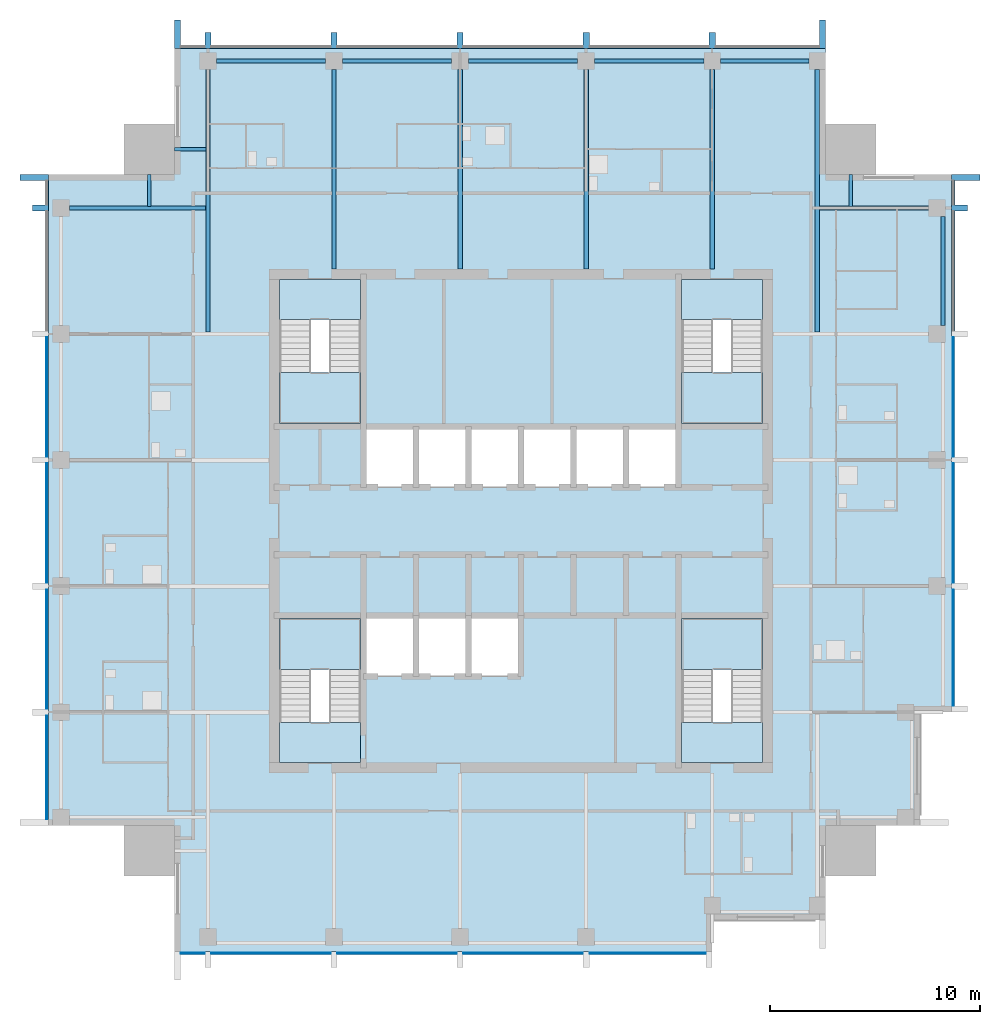
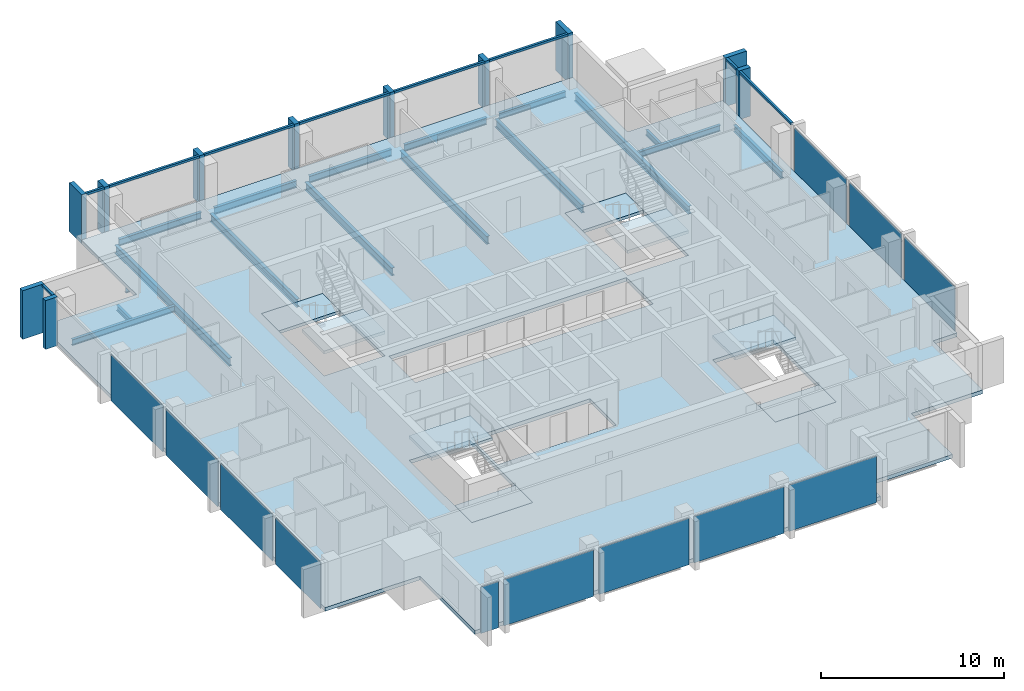
# One storey, part 2 of 9: 20 members, 17 beams, 12 plates, 9 slabs, 8 elements without a shape of their own.
"""IFC4 building model written with IfcOpenShell, lengths in metres."""

from ifc_helpers import new_model, si_unit, direction, frame, origin, origin_2d, place, context, subcontext, project, spatial, polyline, rectangle, i_section, outline, extrude, material, layer, layer_set, material_profile, profile_set, type_object, element, aggregate, save


model = new_model("IFC4")

# Units and contexts
model_context = context("Model", 3, precision=1e-05, world=origin(), true_north=direction((0.0, 1.0)))
body_context = subcontext(model_context, "Body", "Model", "MODEL_VIEW")
ifc_project = project(units=[si_unit("LENGTHUNIT", "METRE"), si_unit("AREAUNIT", "SQUARE_METRE"), si_unit("VOLUMEUNIT", "CUBIC_METRE"), si_unit("PLANEANGLEUNIT", "RADIAN"), si_unit("MASSUNIT", "GRAM", prefix="KILO")], contexts=[model_context])

# Site, building, storey
site_placement = place(None, origin())
site = spatial("IfcSite", under=ifc_project, at=site_placement, CompositionType="ELEMENT")
building_placement = place(site_placement, origin())
building = spatial("IfcBuilding", under=site, at=building_placement, Name="Amberfall Residences", CompositionType="ELEMENT")
storey_placement = place(building_placement, frame((0.0, 0.0, 278.5)))
storey = spatial("IfcBuildingStorey", under=building, at=storey_placement, Name="L75", CompositionType="ELEMENT", Elevation=278.5)

# Curtain wall, members
ifc_material_1 = material(Name="Bronze anodised aluminium and glass", Category="aluminium")
curtain_wall_type = type_object("IfcCurtainWallType", Name="Curtain wall CW1 tower unit", PredefinedType="USERDEFINED", material=ifc_material_1)
curtain_wall_1_placement = place(storey_placement, origin())
curtain_wall_1 = element("IfcCurtainWall", 1, at=curtain_wall_1_placement, inside=storey, type_object=curtain_wall_type, Name="Curtain wall L75 E E3", ObjectType="UNITISED CURTAIN WALL", PredefinedType="USERDEFINED")
ifc_material_2 = material(Name="Bronze anodised aluminium", Category="aluminium")
ifc_material_profile_1 = material_profile(ifc_material_2, rectangle(XDim=0.14990234375, YDim=0.14990234375, at=origin_2d()), Name="CW1 transom 150 x 150 bronze")
ifc_profile_set_1 = profile_set([ifc_material_profile_1], Name="Bronze anodised aluminium")
member_type_1 = type_object("IfcMemberType", Name="CW1 transom 150 x 150 bronze", PredefinedType="USERDEFINED", material=ifc_profile_set_1)
member_1_placement = place(storey_placement, frame((95.074951171875, 54.550048828125, 2.925048828125), z_axis=(0.0, 1.0, 0.0), x_axis=(-1.0, 0.0, 0.0)))
member_1 = element("IfcMember", 2, at=member_1_placement, type_object=member_type_1, Name="CW1 transom 4.1", ObjectType="TRANSOM", PredefinedType="USERDEFINED", context=body_context, shape_type="SweptSolid", body=[
    extrude(rectangle(XDim=0.14990234375, YDim=0.14990234375, at=origin_2d()), origin(), (0.0, 0.0, 1.0), 5.699951171875),
])
member_2_placement = place(storey_placement, frame((95.074951171875, 60.550048828125, 2.925048828125), z_axis=(0.0, 1.0, 0.0), x_axis=(-1.0, 0.0, 0.0)))
member_2 = element("IfcMember", 3, at=member_2_placement, type_object=member_type_1, Name="CW1 transom 5.1", ObjectType="TRANSOM", PredefinedType="USERDEFINED", context=body_context, shape_type="SweptSolid", body=[
    extrude(rectangle(XDim=0.14990234375, YDim=0.14990234375, at=origin_2d()), origin(), (0.0, 0.0, 1.0), 1.14990234375),
])

curtain_wall_2_placement = place(storey_placement, origin())
curtain_wall_2 = element("IfcCurtainWall", 4, at=curtain_wall_2_placement, inside=storey, type_object=curtain_wall_type, Name="Curtain wall L75 N N1", ObjectType="UNITISED CURTAIN WALL", PredefinedType="USERDEFINED")
member_3_placement = place(storey_placement, frame((88.699951171875, 68.074951171875, 2.925048828125), z_axis=(-1.0, 0.0, 0.0), x_axis=(0.0, -1.0, 0.0)))
member_3 = element("IfcMember", 5, at=member_3_placement, type_object=member_type_1, Name="CW1 transom 1.1", ObjectType="TRANSOM", PredefinedType="USERDEFINED", context=body_context, shape_type="SweptSolid", body=[
    extrude(rectangle(XDim=0.14990234375, YDim=0.14990234375, at=origin_2d()), origin(), (0.0, 0.0, 1.0), 4.949951171875),
])
member_4_placement = place(storey_placement, frame((83.449951171875, 68.074951171875, 2.925048828125), z_axis=(-1.0, 0.0, 0.0), x_axis=(0.0, -1.0, 0.0)))
member_4 = element("IfcMember", 6, at=member_4_placement, type_object=member_type_1, Name="CW1 transom 2.1", ObjectType="TRANSOM", PredefinedType="USERDEFINED", context=body_context, shape_type="SweptSolid", body=[
    extrude(rectangle(XDim=0.14990234375, YDim=0.14990234375, at=origin_2d()), origin(), (0.0, 0.0, 1.0), 5.699951171875),
])
member_5_placement = place(storey_placement, frame((77.449951171875, 68.074951171875, 2.925048828125), z_axis=(-1.0, 0.0, 0.0), x_axis=(0.0, -1.0, 0.0)))
member_5 = element("IfcMember", 7, at=member_5_placement, type_object=member_type_1, Name="CW1 transom 3.1", ObjectType="TRANSOM", PredefinedType="USERDEFINED", context=body_context, shape_type="SweptSolid", body=[
    extrude(rectangle(XDim=0.14990234375, YDim=0.14990234375, at=origin_2d()), origin(), (0.0, 0.0, 1.0), 5.699951171875),
])
member_6_placement = place(storey_placement, frame((71.449951171875, 68.074951171875, 2.925048828125), z_axis=(-1.0, 0.0, 0.0), x_axis=(0.0, -1.0, 0.0)))
member_6 = element("IfcMember", 8, at=member_6_placement, type_object=member_type_1, Name="CW1 transom 4.1", ObjectType="TRANSOM", PredefinedType="USERDEFINED", context=body_context, shape_type="SweptSolid", body=[
    extrude(rectangle(XDim=0.14990234375, YDim=0.14990234375, at=origin_2d()), origin(), (0.0, 0.0, 1.0), 5.699951171875),
])
member_7_placement = place(storey_placement, frame((65.449951171875, 68.074951171875, 2.925048828125), z_axis=(-1.0, 0.0, 0.0), x_axis=(0.0, -1.0, 0.0)))
member_7 = element("IfcMember", 9, at=member_7_placement, type_object=member_type_1, Name="CW1 transom 5.1", ObjectType="TRANSOM", PredefinedType="USERDEFINED", context=body_context, shape_type="SweptSolid", body=[
    extrude(rectangle(XDim=0.14990234375, YDim=0.14990234375, at=origin_2d()), origin(), (0.0, 0.0, 1.0), 5.699951171875),
])
member_8_placement = place(storey_placement, frame((59.449951171875, 68.074951171875, 2.925048828125), z_axis=(-1.0, 0.0, 0.0), x_axis=(0.0, -1.0, 0.0)))
member_8 = element("IfcMember", 10, at=member_8_placement, type_object=member_type_1, Name="CW1 transom 6.1", ObjectType="TRANSOM", PredefinedType="USERDEFINED", context=body_context, shape_type="SweptSolid", body=[
    extrude(rectangle(XDim=0.14990234375, YDim=0.14990234375, at=origin_2d()), origin(), (0.0, 0.0, 1.0), 1.14990234375),
])

# Curtain wall, member
curtain_wall_3_placement = place(storey_placement, origin())
curtain_wall_3 = element("IfcCurtainWall", 11, at=curtain_wall_3_placement, inside=storey, type_object=curtain_wall_type, Name="Curtain wall L75 W W1", ObjectType="UNITISED CURTAIN WALL", PredefinedType="USERDEFINED")
member_9_placement = place(storey_placement, frame((51.925048828125, 61.699951171875, 2.925048828125), z_axis=(0.0, -1.0, 0.0), x_axis=(1.0, 0.0, 0.0)))
member_9 = element("IfcMember", 12, at=member_9_placement, type_object=member_type_1, Name="CW1 transom 1.1", ObjectType="TRANSOM", PredefinedType="USERDEFINED", context=body_context, shape_type="SweptSolid", body=[
    extrude(rectangle(XDim=0.14990234375, YDim=0.14990234375, at=origin_2d()), origin(), (0.0, 0.0, 1.0), 1.14990234375),
])

# Member
ifc_material_profile_2 = material_profile(ifc_material_2, rectangle(XDim=1.35009765625, YDim=0.300048828125, at=origin_2d()), Name="Corner fin 300 x 1350 bronze")
ifc_profile_set_2 = profile_set([ifc_material_profile_2], Name="Bronze anodised aluminium")
member_type_2 = type_object("IfcMemberType", Name="Corner fin 300 x 1350 bronze", PredefinedType="MULLION", material=ifc_profile_set_2)
member_10_placement = place(storey_placement, frame((95.675048828125, 61.85009765625, -0.25), z_axis=(0.0, 0.0, 1.0), x_axis=(-1.0, 0.0, 0.0)))
member_10 = element("IfcMember", 13, at=member_10_placement, type_object=member_type_2, Name="CW FIN 6", PredefinedType="MULLION", context=body_context, shape_type="SweptSolid", body=[
    extrude(rectangle(XDim=1.35009765625, YDim=0.300048828125, at=origin_2d()), origin(), (0.0, 0.0, 1.0), 3.25),
])

member_11_placement = place(storey_placement, frame((88.85009765625, 68.675048828125, -0.25), z_axis=(0.0, 0.0, 1.0), x_axis=(0.0, -1.0, 0.0)))
member_11 = element("IfcMember", 14, at=member_11_placement, type_object=member_type_2, Name="CW FIN 1", PredefinedType="MULLION", context=body_context, shape_type="SweptSolid", body=[
    extrude(rectangle(XDim=1.35009765625, YDim=0.300048828125, at=origin_2d()), origin(), (0.0, 0.0, 1.0), 3.25),
])

member_12_placement = place(storey_placement, frame((58.14990234375, 68.675048828125, -0.25), z_axis=(0.0, 0.0, 1.0), x_axis=(0.0, -1.0, 0.0)))
member_12 = element("IfcMember", 15, at=member_12_placement, type_object=member_type_2, Name="CW FIN 7", PredefinedType="MULLION", context=body_context, shape_type="SweptSolid", body=[
    extrude(rectangle(XDim=1.35009765625, YDim=0.300048828125, at=origin_2d()), origin(), (0.0, 0.0, 1.0), 3.25),
])

member_13_placement = place(storey_placement, frame((51.324951171875, 61.85009765625, -0.25), z_axis=(0.0, 0.0, 1.0), x_axis=(1.0, 0.0, 0.0)))
member_13 = element("IfcMember", 16, at=member_13_placement, type_object=member_type_2, Name="CW FIN 1", PredefinedType="MULLION", context=body_context, shape_type="SweptSolid", body=[
    extrude(rectangle(XDim=1.35009765625, YDim=0.300048828125, at=origin_2d()), origin(), (0.0, 0.0, 1.0), 3.25),
])

# Beams
ifc_material_3 = material(Name="Steel S355", Category="steel")
ifc_material_profile_3 = material_profile(ifc_material_3, i_section(OverallWidth=0.177734375, OverallDepth=0.402587890625, WebThickness=0.0078125, FlangeThickness=0.010986328125, FilletRadius=0.01025390625, at=origin_2d()), Name="UB 406x178x54")
ifc_profile_set_3 = profile_set([ifc_material_profile_3], Name="Steel S355")
beam_type_1 = type_object("IfcBeamType", Name="Edge beam UB 406x178x54", PredefinedType="SPANDREL", material=ifc_profile_set_3)
beam_1_placement = place(storey_placement, frame((84.0, 67.39990234375, -0.451416015625), z_axis=(1.0, 0.0, 0.0), x_axis=(0.0, 1.0, 0.0)))
element("IfcBeam", 17, at=beam_1_placement, inside=storey, type_object=beam_type_1, Name="Edge beam B14 L75 29", PredefinedType="SPANDREL", context=body_context, shape_type="SweptSolid", body=[
    extrude(i_section(OverallWidth=0.177734375, OverallDepth=0.402587890625, WebThickness=0.0078125, FlangeThickness=0.010986328125, FilletRadius=0.01025390625, at=origin_2d()), origin(), (0.0, 0.0, 1.0), 4.199951171875),
])
ifc_material_profile_4 = material_profile(ifc_material_3, i_section(OverallWidth=0.18994140625, OverallDepth=0.453369140625, WebThickness=0.008544921875, FlangeThickness=0.0126953125, FilletRadius=0.01025390625, at=origin_2d()), Name="UB 457x191x67")
ifc_profile_set_4 = profile_set([ifc_material_profile_4], Name="Steel S355")
beam_type_2 = type_object("IfcBeamType", Name="Edge beam UB 457x191x67", PredefinedType="SPANDREL", material=ifc_profile_set_4)
for number, where, z_axis, x_axis, name in (
    (18, (94.60009765625, 54.800048828125, -0.476806640625), (0.0, 1.0, 0.0), (-1.0, 0.0, 0.0), "Edge beam B1 L75 17"),
    (19, (60.0, 67.39990234375, -0.476806640625), (1.0, 0.0, 0.0), (0.0, 1.0, 0.0), "Edge beam B1 L75 25"),
    (20, (66.0, 67.39990234375, -0.476806640625), (1.0, 0.0, 0.0), (0.0, 1.0, 0.0), "Edge beam B1 L75 26"),
    (21, (72.0, 67.39990234375, -0.476806640625), (1.0, 0.0, 0.0), (0.0, 1.0, 0.0), "Edge beam B1 L75 27"),
    (22, (78.0, 67.39990234375, -0.476806640625), (1.0, 0.0, 0.0), (0.0, 1.0, 0.0), "Edge beam B1 L75 28"),
):
    element("IfcBeam", number, at=place(storey_placement, frame(where, z_axis=z_axis, x_axis=x_axis)), inside=storey, type_object=beam_type_2, Name=name, PredefinedType="SPANDREL", context=body_context, shape_type="SweptSolid", body=[
        extrude(i_section(OverallWidth=0.18994140625, OverallDepth=0.453369140625, WebThickness=0.008544921875, FlangeThickness=0.0126953125, FilletRadius=0.01025390625, at=origin_2d()), origin(), (0.0, 0.0, 1.0), 5.199951171875),
    ])

# Member
ifc_material_profile_5 = material_profile(ifc_material_2, rectangle(XDim=0.75, YDim=0.300048828125, at=origin_2d()), Name="Fin 300 x 750 bronze")
ifc_profile_set_5 = profile_set([ifc_material_profile_5], Name="Bronze anodised aluminium")
member_type_3 = type_object("IfcMemberType", Name="Fin 300 x 750 bronze", PredefinedType="MULLION", material=ifc_profile_set_5)
member_14_placement = place(storey_placement, frame((95.375, 60.39990234375, -0.25), z_axis=(0.0, 0.0, 1.0), x_axis=(-1.0, 0.0, 0.0)))
member_14 = element("IfcMember", 23, at=member_14_placement, type_object=member_type_3, Name="CW FIN 5", PredefinedType="MULLION", context=body_context, shape_type="SweptSolid", body=[
    extrude(rectangle(XDim=0.75, YDim=0.300048828125, at=origin_2d()), origin(), (0.0, 0.0, 1.0), 3.25),
])

member_15_placement = place(storey_placement, frame((83.60009765625, 68.375, -0.25), z_axis=(0.0, 0.0, 1.0), x_axis=(0.0, -1.0, 0.0)))
member_15 = element("IfcMember", 24, at=member_15_placement, type_object=member_type_3, Name="CW FIN 2", PredefinedType="MULLION", context=body_context, shape_type="SweptSolid", body=[
    extrude(rectangle(XDim=0.75, YDim=0.300048828125, at=origin_2d()), origin(), (0.0, 0.0, 1.0), 3.25),
])

member_16_placement = place(storey_placement, frame((77.60009765625, 68.375, -0.25), z_axis=(0.0, 0.0, 1.0), x_axis=(0.0, -1.0, 0.0)))
member_16 = element("IfcMember", 25, at=member_16_placement, type_object=member_type_3, Name="CW FIN 3", PredefinedType="MULLION", context=body_context, shape_type="SweptSolid", body=[
    extrude(rectangle(XDim=0.75, YDim=0.300048828125, at=origin_2d()), origin(), (0.0, 0.0, 1.0), 3.25),
])

member_17_placement = place(storey_placement, frame((71.60009765625, 68.375, -0.25), z_axis=(0.0, 0.0, 1.0), x_axis=(0.0, -1.0, 0.0)))
member_17 = element("IfcMember", 26, at=member_17_placement, type_object=member_type_3, Name="CW FIN 4", PredefinedType="MULLION", context=body_context, shape_type="SweptSolid", body=[
    extrude(rectangle(XDim=0.75, YDim=0.300048828125, at=origin_2d()), origin(), (0.0, 0.0, 1.0), 3.25),
])

member_18_placement = place(storey_placement, frame((65.60009765625, 68.375, -0.25), z_axis=(0.0, 0.0, 1.0), x_axis=(0.0, -1.0, 0.0)))
member_18 = element("IfcMember", 27, at=member_18_placement, type_object=member_type_3, Name="CW FIN 5", PredefinedType="MULLION", context=body_context, shape_type="SweptSolid", body=[
    extrude(rectangle(XDim=0.75, YDim=0.300048828125, at=origin_2d()), origin(), (0.0, 0.0, 1.0), 3.25),
])

member_19_placement = place(storey_placement, frame((59.60009765625, 68.375, -0.25), z_axis=(0.0, 0.0, 1.0), x_axis=(0.0, -1.0, 0.0)))
member_19 = element("IfcMember", 28, at=member_19_placement, type_object=member_type_3, Name="CW FIN 6", PredefinedType="MULLION", context=body_context, shape_type="SweptSolid", body=[
    extrude(rectangle(XDim=0.75, YDim=0.300048828125, at=origin_2d()), origin(), (0.0, 0.0, 1.0), 3.25),
])

aggregate(curtain_wall_2, [member_11, member_15, member_16, member_17, member_18, member_19, member_12, member_3, member_4, member_5, member_6, member_7, member_8])

member_20_placement = place(storey_placement, frame((51.625, 60.39990234375, -0.25), z_axis=(0.0, 0.0, 1.0), x_axis=(1.0, 0.0, 0.0)))
member_20 = element("IfcMember", 29, at=member_20_placement, type_object=member_type_3, Name="CW FIN 2", PredefinedType="MULLION", context=body_context, shape_type="SweptSolid", body=[
    extrude(rectangle(XDim=0.75, YDim=0.300048828125, at=origin_2d()), origin(), (0.0, 0.0, 1.0), 3.25),
])

# Beams
ifc_material_profile_6 = material_profile(ifc_material_3, i_section(OverallWidth=0.177734375, OverallDepth=0.402587890625, WebThickness=0.0078125, FlangeThickness=0.010986328125, FilletRadius=0.01025390625, at=origin_2d()), Name="UB 406x178x54")
ifc_profile_set_6 = profile_set([ifc_material_profile_6], Name="Steel S355")
beam_type_3 = type_object("IfcBeamType", Name="Floor girder UB 406x178x54", PredefinedType="BEAM", material=ifc_profile_set_6)
beam_2_placement = place(storey_placement, frame((93.89990234375, 60.39990234375, -0.451416015625), z_axis=(-1.0, 0.0, 0.0), x_axis=(0.0, -1.0, 0.0)))
element("IfcBeam", 30, at=beam_2_placement, inside=storey, type_object=beam_type_3, Name="Floor girder B4 L75 24", PredefinedType="BEAM", context=body_context, shape_type="SweptSolid", body=[
    extrude(i_section(OverallWidth=0.177734375, OverallDepth=0.402587890625, WebThickness=0.0078125, FlangeThickness=0.010986328125, FilletRadius=0.01025390625, at=origin_2d()), origin(), (0.0, 0.0, 1.0), 5.179931640625),
])
beam_3_placement = place(storey_placement, frame((53.0, 60.39990234375, -0.451416015625), z_axis=(1.0, 0.0, 0.0), x_axis=(0.0, 1.0, 0.0)))
element("IfcBeam", 31, at=beam_3_placement, inside=storey, type_object=beam_type_3, Name="Floor girder B4 L75 46", PredefinedType="BEAM", context=body_context, shape_type="SweptSolid", body=[
    extrude(i_section(OverallWidth=0.177734375, OverallDepth=0.402587890625, WebThickness=0.0078125, FlangeThickness=0.010986328125, FilletRadius=0.01025390625, at=origin_2d()), origin(), (0.0, 0.0, 1.0), 6.47998046875),
])
ifc_material_profile_7 = material_profile(ifc_material_3, i_section(OverallWidth=0.210693359375, OverallDepth=0.53955078125, WebThickness=0.01171875, FlangeThickness=0.018798828125, FilletRadius=0.0126953125, at=origin_2d()), Name="UB 533x210x109")
ifc_profile_set_7 = profile_set([ifc_material_profile_7], Name="Steel S355")
beam_type_4 = type_object("IfcBeamType", Name="Floor girder UB 533x210x109", PredefinedType="BEAM", material=ifc_profile_set_7)
beam_4_placement = place(storey_placement, frame((59.60009765625, 67.0, -0.519775390625), z_axis=(0.0, -1.0, 0.0), x_axis=(1.0, 0.0, 0.0)))
element("IfcBeam", 32, at=beam_4_placement, inside=storey, type_object=beam_type_4, Name="Floor girder B2 L75 30", PredefinedType="BEAM", context=body_context, shape_type="SweptSolid", body=[
    extrude(i_section(OverallWidth=0.210693359375, OverallDepth=0.53955078125, WebThickness=0.01171875, FlangeThickness=0.018798828125, FilletRadius=0.0126953125, at=origin_2d()), origin(), (0.0, 0.0, 1.0), 12.50048828125),
])
beam_5_placement = place(storey_placement, frame((88.60009765625, 67.0, -0.519775390625), z_axis=(0.0, -1.0, 0.0), x_axis=(1.0, 0.0, 0.0)))
element("IfcBeam", 33, at=beam_5_placement, inside=storey, type_object=beam_type_4, Name="Floor girder B2 L75 35", PredefinedType="BEAM", context=body_context, shape_type="SweptSolid", body=[
    extrude(i_section(OverallWidth=0.210693359375, OverallDepth=0.53955078125, WebThickness=0.01171875, FlangeThickness=0.018798828125, FilletRadius=0.0126953125, at=origin_2d()), origin(), (0.0, 0.0, 1.0), 12.509521484375),
])
ifc_material_profile_8 = material_profile(ifc_material_3, i_section(OverallWidth=0.209228515625, OverallDepth=0.533203125, WebThickness=0.010009765625, FlangeThickness=0.015625, FilletRadius=0.0126953125, at=origin_2d()), Name="UB 533x210x92")
ifc_profile_set_8 = profile_set([ifc_material_profile_8], Name="Steel S355")
beam_type_5 = type_object("IfcBeamType", Name="Floor girder UB 533x210x92", PredefinedType="BEAM", material=ifc_profile_set_8)
for number, where, z_axis, x_axis, name in (
    (34, (65.60009765625, 67.0, -0.5166015625), (0.0, -1.0, 0.0), (1.0, 0.0, 0.0), "Floor girder B3 L75 31"),
    (35, (71.60009765625, 67.0, -0.5166015625), (0.0, -1.0, 0.0), (1.0, 0.0, 0.0), "Floor girder B3 L75 32"),
    (36, (77.60009765625, 67.0, -0.5166015625), (0.0, -1.0, 0.0), (1.0, 0.0, 0.0), "Floor girder B3 L75 33"),
    (37, (83.60009765625, 67.0, -0.5166015625), (0.0, -1.0, 0.0), (1.0, 0.0, 0.0), "Floor girder B3 L75 34"),
):
    element("IfcBeam", number, at=place(storey_placement, frame(where, z_axis=z_axis, x_axis=x_axis)), inside=storey, type_object=beam_type_5, Name=name, PredefinedType="BEAM", context=body_context, shape_type="SweptSolid", body=[
        extrude(i_section(OverallWidth=0.209228515625, OverallDepth=0.533203125, WebThickness=0.010009765625, FlangeThickness=0.015625, FilletRadius=0.0126953125, at=origin_2d()), origin(), (0.0, 0.0, 1.0), 9.5),
    ])
ifc_material_profile_9 = material_profile(ifc_material_3, i_section(OverallWidth=0.171142578125, OverallDepth=0.351318359375, WebThickness=0.007080078125, FlangeThickness=0.009765625, FilletRadius=0.01025390625, at=origin_2d()), Name="UB 356x171x45")
ifc_profile_set_9 = profile_set([ifc_material_profile_9], Name="Steel S355")
beam_type_6 = type_object("IfcBeamType", Name="Link beam UB 356x171x45", PredefinedType="BEAM", material=ifc_profile_set_9)
beam_6_placement = place(storey_placement, frame((90.199951171875, 62.0, -0.42578125), z_axis=(0.0, -1.0, 0.0), x_axis=(1.0, 0.0, 0.0)))
element("IfcBeam", 38, at=beam_6_placement, inside=storey, type_object=beam_type_6, Name="Link beam B7 L75 48", PredefinedType="BEAM", context=body_context, shape_type="SweptSolid", body=[
    extrude(i_section(OverallWidth=0.171142578125, OverallDepth=0.351318359375, WebThickness=0.007080078125, FlangeThickness=0.009765625, FilletRadius=0.01025390625, at=origin_2d()), origin(), (0.0, 0.0, 1.0), 1.52099609375),
])
beam_7_placement = place(storey_placement, frame((58.0, 63.199951171875, -0.42578125), z_axis=(1.0, 0.0, 0.0), x_axis=(0.0, 1.0, 0.0)))
element("IfcBeam", 39, at=beam_7_placement, inside=storey, type_object=beam_type_6, Name="Link beam B7 L75 49", PredefinedType="BEAM", context=body_context, shape_type="SweptSolid", body=[
    extrude(i_section(OverallWidth=0.171142578125, OverallDepth=0.351318359375, WebThickness=0.007080078125, FlangeThickness=0.009765625, FilletRadius=0.01025390625, at=origin_2d()), origin(), (0.0, 0.0, 1.0), 1.504638671875),
])
beam_8_placement = place(storey_placement, frame((56.800048828125, 62.0, -0.42578125), z_axis=(0.0, -1.0, 0.0), x_axis=(1.0, 0.0, 0.0)))
element("IfcBeam", 40, at=beam_8_placement, inside=storey, type_object=beam_type_6, Name="Link beam B7 L75 50", PredefinedType="BEAM", context=body_context, shape_type="SweptSolid", body=[
    extrude(i_section(OverallWidth=0.171142578125, OverallDepth=0.351318359375, WebThickness=0.007080078125, FlangeThickness=0.009765625, FilletRadius=0.01025390625, at=origin_2d()), origin(), (0.0, 0.0, 1.0), 1.52099609375),
])

# Curtain wall, plates
curtain_wall_4_placement = place(storey_placement, origin())
curtain_wall_4 = element("IfcCurtainWall", 41, at=curtain_wall_4_placement, inside=storey, type_object=curtain_wall_type, Name="Curtain wall L75 S S1", ObjectType="UNITISED CURTAIN WALL", PredefinedType="USERDEFINED")
ifc_material_4 = material(Name="Tinted double glazed unit", Category="glass")
ifc_layer_1 = layer(ifc_material_4, 0.035888671875)
ifc_layer_set_1 = layer_set([ifc_layer_1], Name="CW1 panel 36 glazing")
plate_type = type_object("IfcPlateType", Name="CW1 panel 36 glazing", PredefinedType="CURTAIN_PANEL", material=ifc_layer_set_1)
plate_1_placement = place(storey_placement, frame((58.875, 24.925048828125, -0.25), z_axis=(0.0, 0.0, 1.0), x_axis=(1.0, 0.0, 0.0)))
plate_1 = element("IfcPlate", 42, at=plate_1_placement, type_object=plate_type, Name="CW1 panel 1.1", PredefinedType="CURTAIN_PANEL", context=body_context, shape_type="SweptSolid", body=[
    extrude(rectangle(XDim=1.1259765625, YDim=0.035888671875, at=origin_2d()), origin(), (0.0, 0.0, 1.0), 3.10009765625),
])
plate_2_placement = place(storey_placement, frame((62.60009765625, 24.925048828125, -0.25), z_axis=(0.0, 0.0, 1.0), x_axis=(1.0, 0.0, 0.0)))
plate_2 = element("IfcPlate", 43, at=plate_2_placement, type_object=plate_type, Name="CW1 panel 2.1", PredefinedType="CURTAIN_PANEL", context=body_context, shape_type="SweptSolid", body=[
    extrude(rectangle(XDim=5.676025390625, YDim=0.035888671875, at=origin_2d()), origin(), (0.0, 0.0, 1.0), 3.10009765625),
])
plate_3_placement = place(storey_placement, frame((68.60009765625, 24.925048828125, -0.25), z_axis=(0.0, 0.0, 1.0), x_axis=(1.0, 0.0, 0.0)))
plate_3 = element("IfcPlate", 44, at=plate_3_placement, type_object=plate_type, Name="CW1 panel 3.1", PredefinedType="CURTAIN_PANEL", context=body_context, shape_type="SweptSolid", body=[
    extrude(rectangle(XDim=5.676025390625, YDim=0.035888671875, at=origin_2d()), origin(), (0.0, 0.0, 1.0), 3.10009765625),
])
plate_4_placement = place(storey_placement, frame((74.60009765625, 24.925048828125, -0.25), z_axis=(0.0, 0.0, 1.0), x_axis=(1.0, 0.0, 0.0)))
plate_4 = element("IfcPlate", 45, at=plate_4_placement, type_object=plate_type, Name="CW1 panel 4.1", PredefinedType="CURTAIN_PANEL", context=body_context, shape_type="SweptSolid", body=[
    extrude(rectangle(XDim=5.676025390625, YDim=0.035888671875, at=origin_2d()), origin(), (0.0, 0.0, 1.0), 3.10009765625),
])
plate_5_placement = place(storey_placement, frame((80.52490234375, 24.925048828125, -0.25), z_axis=(0.0, 0.0, 1.0), x_axis=(1.0, 0.0, 0.0)))
plate_5 = element("IfcPlate", 46, at=plate_5_placement, type_object=plate_type, Name="CW1 panel 5.1", PredefinedType="CURTAIN_PANEL", context=body_context, shape_type="SweptSolid", body=[
    extrude(rectangle(XDim=5.52587890625, YDim=0.035888671875, at=origin_2d()), origin(), (0.0, 0.0, 1.0), 3.10009765625),
])
aggregate(curtain_wall_4, [plate_1, plate_2, plate_3, plate_4, plate_5])

# Plate
plate_6_placement = place(storey_placement, frame((95.074951171875, 39.47509765625, -0.25), z_axis=(0.0, 0.0, 1.0), x_axis=(0.0, 1.0, 0.0)))
plate_6 = element("IfcPlate", 47, at=plate_6_placement, type_object=plate_type, Name="CW1 panel 1.1", PredefinedType="CURTAIN_PANEL", context=body_context, shape_type="SweptSolid", body=[
    extrude(rectangle(XDim=5.52587890625, YDim=0.035888671875, at=origin_2d()), origin(), (0.0, 0.0, 1.0), 3.10009765625),
])

plate_7_placement = place(storey_placement, frame((95.074951171875, 45.39990234375, -0.25), z_axis=(0.0, 0.0, 1.0), x_axis=(0.0, 1.0, 0.0)))
plate_7 = element("IfcPlate", 48, at=plate_7_placement, type_object=plate_type, Name="CW1 panel 2.1", PredefinedType="CURTAIN_PANEL", context=body_context, shape_type="SweptSolid", body=[
    extrude(rectangle(XDim=5.676025390625, YDim=0.035888671875, at=origin_2d()), origin(), (0.0, 0.0, 1.0), 3.10009765625),
])

plate_8_placement = place(storey_placement, frame((95.074951171875, 51.39990234375, -0.25), z_axis=(0.0, 0.0, 1.0), x_axis=(0.0, 1.0, 0.0)))
plate_8 = element("IfcPlate", 49, at=plate_8_placement, type_object=plate_type, Name="CW1 panel 3.1", PredefinedType="CURTAIN_PANEL", context=body_context, shape_type="SweptSolid", body=[
    extrude(rectangle(XDim=5.676025390625, YDim=0.035888671875, at=origin_2d()), origin(), (0.0, 0.0, 1.0), 3.10009765625),
])

aggregate(curtain_wall_1, [member_14, member_10, plate_6, plate_7, plate_8, member_1, member_2])

plate_9_placement = place(storey_placement, frame((51.925048828125, 51.39990234375, -0.25), z_axis=(0.0, 0.0, 1.0), x_axis=(0.0, -1.0, 0.0)))
plate_9 = element("IfcPlate", 50, at=plate_9_placement, type_object=plate_type, Name="CW1 panel 3.1", PredefinedType="CURTAIN_PANEL", context=body_context, shape_type="SweptSolid", body=[
    extrude(rectangle(XDim=5.676025390625, YDim=0.035888671875, at=origin_2d()), origin(), (0.0, 0.0, 1.0), 3.10009765625),
])

plate_10_placement = place(storey_placement, frame((51.925048828125, 45.39990234375, -0.25), z_axis=(0.0, 0.0, 1.0), x_axis=(0.0, -1.0, 0.0)))
plate_10 = element("IfcPlate", 51, at=plate_10_placement, type_object=plate_type, Name="CW1 panel 4.1", PredefinedType="CURTAIN_PANEL", context=body_context, shape_type="SweptSolid", body=[
    extrude(rectangle(XDim=5.676025390625, YDim=0.035888671875, at=origin_2d()), origin(), (0.0, 0.0, 1.0), 3.10009765625),
])

plate_11_placement = place(storey_placement, frame((51.925048828125, 39.39990234375, -0.25), z_axis=(0.0, 0.0, 1.0), x_axis=(0.0, -1.0, 0.0)))
plate_11 = element("IfcPlate", 52, at=plate_11_placement, type_object=plate_type, Name="CW1 panel 5.1", PredefinedType="CURTAIN_PANEL", context=body_context, shape_type="SweptSolid", body=[
    extrude(rectangle(XDim=5.676025390625, YDim=0.035888671875, at=origin_2d()), origin(), (0.0, 0.0, 1.0), 3.10009765625),
])

plate_12_placement = place(storey_placement, frame((51.925048828125, 33.77490234375, -0.25), z_axis=(0.0, 0.0, 1.0), x_axis=(0.0, -1.0, 0.0)))
plate_12 = element("IfcPlate", 53, at=plate_12_placement, type_object=plate_type, Name="CW1 panel 6.1", PredefinedType="CURTAIN_PANEL", context=body_context, shape_type="SweptSolid", body=[
    extrude(rectangle(XDim=4.926025390625, YDim=0.035888671875, at=origin_2d()), origin(), (0.0, 0.0, 1.0), 3.10009765625),
])

aggregate(curtain_wall_3, [member_13, member_20, member_9, plate_9, plate_10, plate_11, plate_12])

# Slab
ifc_material_5 = material(Name="Concrete C50", Category="concrete")
ifc_layer_2 = layer(ifc_material_5, 0.25)
ifc_layer_set_2 = layer_set([ifc_layer_2], Name="Floor slab 250 C50")
slab_type_1 = type_object("IfcSlabType", Name="Floor slab 250 C50", PredefinedType="FLOOR", material=ifc_layer_set_2)
slab_1_placement = place(storey_placement, frame((0.0, 0.0, -0.25)))
element("IfcSlab", 54, at=slab_1_placement, inside=storey, type_object=slab_type_1, Name="Floor slab S19 L75", PredefinedType="FLOOR", context=body_context, shape_type="SweptSolid", body=[
    extrude(outline(polyline([(83.60009765625, 26.5), (83.60009765625, 25.0), (58.0, 25.0), (58.0, 31.0), (52.0, 31.0), (52.0, 62.0), (58.0, 62.0), (58.0, 68.0), (89.0, 68.0), (89.0, 62.0), (95.0, 62.0), (95.0, 36.39990234375), (93.5, 36.39990234375), (93.5, 31.0), (89.0, 31.0), (89.0, 26.5), (83.60009765625, 26.5)]), holes=[polyline([(86.0, 34.0), (86.0, 40.85009765625), (82.14990234375, 40.85009765625), (82.14990234375, 34.0), (86.0, 34.0)]), polyline([(86.0, 50.14990234375), (86.0, 57.0), (82.14990234375, 57.0), (82.14990234375, 50.14990234375), (86.0, 50.14990234375)]), polyline([(67.0, 50.0), (67.0, 47.10009765625), (69.5, 47.10009765625), (72.0, 47.10009765625), (74.5, 47.10009765625), (77.0, 47.10009765625), (79.5, 47.10009765625), (82.0, 47.10009765625), (82.0, 50.0), (79.5, 50.0), (77.0, 50.0), (74.5, 50.0), (72.0, 50.0), (69.5, 50.0), (67.0, 50.0)]), polyline([(69.5, 41.0), (67.0, 41.0), (67.0, 38.10009765625), (69.5, 38.10009765625), (72.0, 38.10009765625), (74.5, 38.10009765625), (74.5, 41.0), (72.0, 41.0), (69.5, 41.0)]), polyline([(66.85009765625, 40.85009765625), (63.0, 40.85009765625), (63.0, 34.0), (66.85009765625, 34.0), (66.85009765625, 40.85009765625)]), polyline([(66.85009765625, 57.0), (63.0, 57.0), (63.0, 50.14990234375), (66.85009765625, 50.14990234375), (66.85009765625, 57.0)])]), origin(), (0.0, 0.0, 1.0), 0.25),
])

# Stair, slabs
ifc_material_6 = material(Name="Concrete C40", Category="concrete")
stair_type = type_object("IfcStairType", Name="Exit stair 20 risers 165.0 mm", PredefinedType="HALF_TURN_STAIR", material=ifc_material_6)
stair_1_placement = place(storey_placement, origin())
stair_1 = element("IfcStair", 55, at=stair_1_placement, inside=storey, type_object=stair_type, Name="L75 Exit stair 1", PredefinedType="HALF_TURN_STAIR")
ifc_layer_3 = layer(ifc_material_6, 0.199951171875)
ifc_layer_set_3 = layer_set([ifc_layer_3], Name="Stair landing 200")
slab_type_2 = type_object("IfcSlabType", Name="Stair landing 200", PredefinedType="LANDING", material=ifc_layer_set_3)
slab_2_placement = place(storey_placement, frame((0.0, 0.0, 1.449951171875)))
slab_2 = element("IfcSlab", 56, at=slab_2_placement, type_object=slab_type_2, Name="ST3 landing 1", PredefinedType="LANDING", context=body_context, shape_type="SweptSolid", body=[
    extrude(outline(polyline([(66.85009765625, 38.419921875), (66.85009765625, 40.85009765625), (63.0, 40.85009765625), (63.0, 38.419921875), (66.85009765625, 38.419921875)])), origin(), (0.0, 0.0, 1.0), 0.199951171875),
])
slab_3_placement = place(storey_placement, frame((0.0, 0.0, -0.199951171875)))
slab_3 = element("IfcSlab", 57, at=slab_3_placement, type_object=slab_type_2, Name="ST3 landing 2", PredefinedType="LANDING", context=body_context, shape_type="SweptSolid", body=[
    extrude(outline(polyline([(66.85009765625, 34.0), (66.85009765625, 35.89990234375), (63.0, 35.89990234375), (63.0, 34.0), (66.85009765625, 34.0)])), origin(), (0.0, 0.0, 1.0), 0.199951171875),
])
aggregate(stair_1, [slab_2, slab_3])

stair_2_placement = place(storey_placement, origin())
stair_2 = element("IfcStair", 58, at=stair_2_placement, inside=storey, type_object=stair_type, Name="L75 Exit stair 2", PredefinedType="HALF_TURN_STAIR")
slab_4_placement = place(storey_placement, frame((0.0, 0.0, 1.449951171875)))
slab_4 = element("IfcSlab", 59, at=slab_4_placement, type_object=slab_type_2, Name="ST3 landing 1", PredefinedType="LANDING", context=body_context, shape_type="SweptSolid", body=[
    extrude(outline(polyline([(86.0, 38.419921875), (86.0, 40.85009765625), (82.14990234375, 40.85009765625), (82.14990234375, 38.419921875), (86.0, 38.419921875)])), origin(), (0.0, 0.0, 1.0), 0.199951171875),
])
slab_5_placement = place(storey_placement, frame((0.0, 0.0, -0.199951171875)))
slab_5 = element("IfcSlab", 60, at=slab_5_placement, type_object=slab_type_2, Name="ST3 landing 2", PredefinedType="LANDING", context=body_context, shape_type="SweptSolid", body=[
    extrude(outline(polyline([(86.0, 34.0), (86.0, 35.89990234375), (82.14990234375, 35.89990234375), (82.14990234375, 34.0), (86.0, 34.0)])), origin(), (0.0, 0.0, 1.0), 0.199951171875),
])
aggregate(stair_2, [slab_4, slab_5])

stair_3_placement = place(storey_placement, origin())
stair_3 = element("IfcStair", 61, at=stair_3_placement, inside=storey, type_object=stair_type, Name="L75 Exit stair 3", PredefinedType="HALF_TURN_STAIR")
slab_6_placement = place(storey_placement, frame((0.0, 0.0, 1.449951171875)))
slab_6 = element("IfcSlab", 62, at=slab_6_placement, type_object=slab_type_2, Name="ST3 landing 1", PredefinedType="LANDING", context=body_context, shape_type="SweptSolid", body=[
    extrude(outline(polyline([(82.14990234375, 52.580078125), (82.14990234375, 50.14990234375), (86.0, 50.14990234375), (86.0, 52.580078125), (82.14990234375, 52.580078125)])), origin(), (0.0, 0.0, 1.0), 0.199951171875),
])
slab_7_placement = place(storey_placement, frame((0.0, 0.0, -0.199951171875)))
slab_7 = element("IfcSlab", 63, at=slab_7_placement, type_object=slab_type_2, Name="ST3 landing 2", PredefinedType="LANDING", context=body_context, shape_type="SweptSolid", body=[
    extrude(outline(polyline([(82.14990234375, 57.0), (82.14990234375, 55.10009765625), (86.0, 55.10009765625), (86.0, 57.0), (82.14990234375, 57.0)])), origin(), (0.0, 0.0, 1.0), 0.199951171875),
])
aggregate(stair_3, [slab_6, slab_7])

stair_4_placement = place(storey_placement, origin())
stair_4 = element("IfcStair", 64, at=stair_4_placement, inside=storey, type_object=stair_type, Name="L75 Exit stair 4", PredefinedType="HALF_TURN_STAIR")
slab_8_placement = place(storey_placement, frame((0.0, 0.0, 1.449951171875)))
slab_8 = element("IfcSlab", 65, at=slab_8_placement, type_object=slab_type_2, Name="ST3 landing 1", PredefinedType="LANDING", context=body_context, shape_type="SweptSolid", body=[
    extrude(outline(polyline([(63.0, 52.580078125), (63.0, 50.14990234375), (66.85009765625, 50.14990234375), (66.85009765625, 52.580078125), (63.0, 52.580078125)])), origin(), (0.0, 0.0, 1.0), 0.199951171875),
])
slab_9_placement = place(storey_placement, frame((0.0, 0.0, -0.199951171875)))
slab_9 = element("IfcSlab", 66, at=slab_9_placement, type_object=slab_type_2, Name="ST3 landing 2", PredefinedType="LANDING", context=body_context, shape_type="SweptSolid", body=[
    extrude(outline(polyline([(63.0, 57.0), (63.0, 55.10009765625), (66.85009765625, 55.10009765625), (66.85009765625, 57.0), (63.0, 57.0)])), origin(), (0.0, 0.0, 1.0), 0.199951171875),
])
aggregate(stair_4, [slab_8, slab_9])

save(model, "model.ifc")
